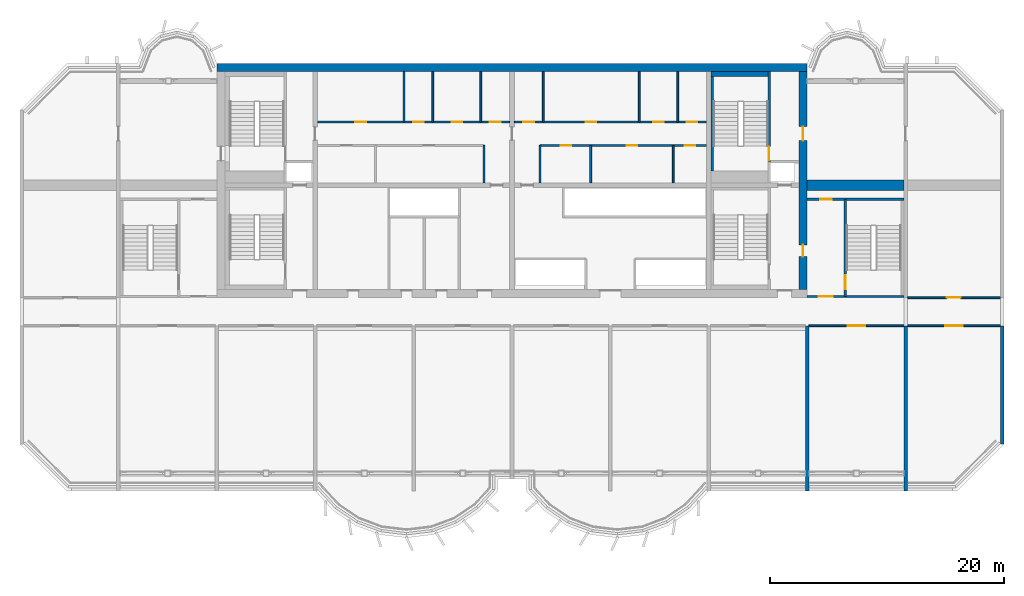
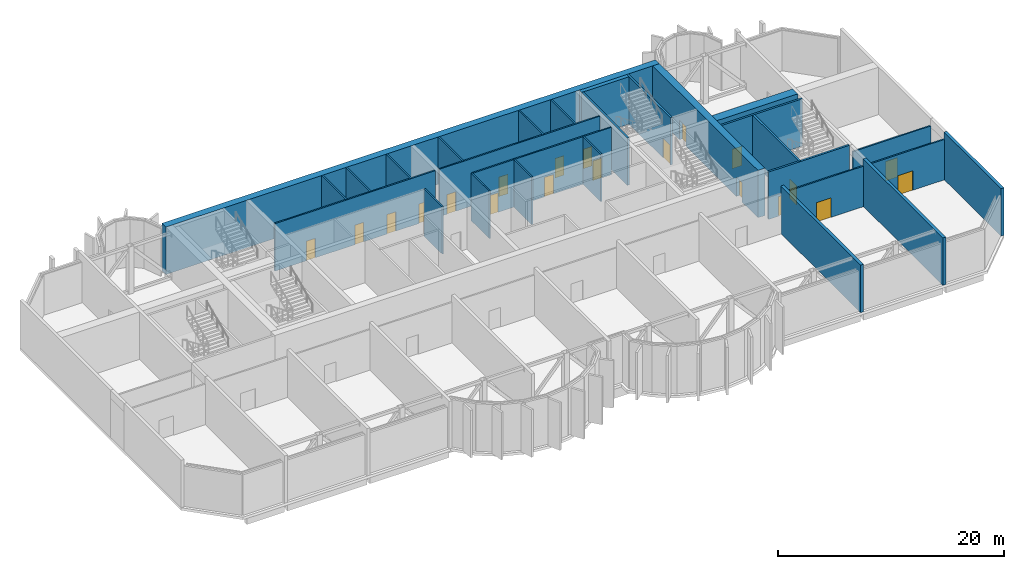
# One storey, part 6 of 15: 28 walls, 20 doors, 20 openings.
"""IFC4 building model written with IfcOpenShell, lengths in metres."""

from ifc_helpers import new_model, si_unit, direction, frame, frame_2d, origin, place, context, subcontext, project, spatial, rectangle, extrude, source, transform, mapped, material, layer, layer_set, type_object, element, fill, save


model = new_model("IFC4")

# Units and contexts
model_context = context("Model", 3, precision=1e-05, world=origin(), true_north=direction((0.0, 1.0)))
body_context = subcontext(model_context, "Body", "Model", "MODEL_VIEW")
ifc_project = project(units=[si_unit("LENGTHUNIT", "METRE"), si_unit("AREAUNIT", "SQUARE_METRE"), si_unit("VOLUMEUNIT", "CUBIC_METRE"), si_unit("PLANEANGLEUNIT", "RADIAN"), si_unit("MASSUNIT", "GRAM", prefix="KILO")], contexts=[model_context])

# Site, building, storey
site_placement = place(None, origin())
site = spatial("IfcSite", under=ifc_project, at=site_placement, CompositionType="ELEMENT")
building_placement = place(site_placement, origin())
building = spatial("IfcBuilding", under=site, at=building_placement, Name="Vanashikhar Sky Hotel", CompositionType="ELEMENT")
storey_placement = place(building_placement, frame((0.0, 0.0, 201.0)))
storey = spatial("IfcBuildingStorey", under=building, at=storey_placement, Name="L49", CompositionType="ELEMENT", Elevation=201.0)

# Wall
ifc_material_1 = material(Name="Concrete M60", Category="concrete")
ifc_layer_1 = layer(ifc_material_1, 0.699951171875)
ifc_layer_set_1 = layer_set([ifc_layer_1], Name="RC core shell wall 700 Concrete M60")
wall_type_1 = type_object("IfcWallType", Name="RC core shell wall 700 Concrete M60", PredefinedType="SHEAR", material=ifc_layer_set_1)
shared_shape_1 = source(origin(), body_context, "Body", "SweptSolid", [
    extrude(rectangle(XDim=50.400146484375, YDim=0.699951171875, at=frame_2d((25.2001953125, 0.0))), origin(), (0.0, 0.0, 1.0), 5.1201171875),
])
wall_1_placement = place(storey_placement, frame((25.199951171875, 41.64990234375, 0.0), z_axis=(0.0, 0.0, 1.0), x_axis=(1.0, 0.0, 0.0)))
element("IfcWall", 1, at=wall_1_placement, inside=storey, type_object=wall_type_1, Name="KW-L49-KN", PredefinedType="SHEAR", context=body_context, shape_type="MappedRepresentation", body=[
    mapped(shared_shape_1, transform((0.0, 0.0, 0.0), scale=1.0)),
])

# Wall, openings, doors
shared_shape_2 = source(origin(), body_context, "Body", "SweptSolid", [
    extrude(rectangle(XDim=18.60009765625, YDim=0.699951171875, at=frame_2d((9.300048828125, 0.0))), origin(), (0.0, 0.0, 1.0), 5.1201171875),
])
wall_2_placement = place(storey_placement, frame((75.25, 22.699951171875, 0.0), z_axis=(0.0, 0.0, 1.0), x_axis=(0.0, 1.0, 0.0)))
wall_2 = element("IfcWall", 2, at=wall_2_placement, inside=storey, type_object=wall_type_1, Name="KW-L49-KE", PredefinedType="SHEAR", context=body_context, shape_type="MappedRepresentation", body=[
    mapped(shared_shape_2, transform((0.0, 0.0, 0.0), scale=1.0)),
])
shared_shape_3 = source(origin(), body_context, "Body", "SweptSolid", [
    extrude(rectangle(XDim=1.0, YDim=2.10009765625, at=frame_2d((0.5, 1.050048828125))), frame((0.0, 0.35986328125, 0.0), z_axis=(0.0, -1.0, 0.0), x_axis=(1.0, 0.0, 0.0)), (0.0, 0.0, 1.0), 0.719970703125),
])
opening_1_placement = place(wall_2_placement, frame((2.800048828125, 0.0, 0.0)))
opening_1 = element("IfcOpeningElement", 3, at=opening_1_placement, cuts=wall_2, Name="Opening DC-5", PredefinedType="OPENING", context=body_context, shape_type="MappedRepresentation", body=[
    mapped(shared_shape_3, transform((0.0, 0.0, 0.0), scale=1.0)),
])
shared_shape_4 = source(origin(), body_context, "Body", "SweptSolid", [
    extrude(rectangle(XDim=1.199951171875, YDim=2.10009765625, at=frame_2d((0.60009765625, 1.050048828125))), frame((0.0, 0.35986328125, 0.0), z_axis=(0.0, -1.0, 0.0), x_axis=(1.0, 0.0, 0.0)), (0.0, 0.0, 1.0), 0.719970703125),
])
opening_2_placement = place(wall_2_placement, frame((12.699951171875, 0.0, 0.0)))
opening_2 = element("IfcOpeningElement", 4, at=opening_2_placement, cuts=wall_2, Name="Opening DC-4-D", PredefinedType="OPENING", context=body_context, shape_type="MappedRepresentation", body=[
    mapped(shared_shape_4, transform((0.0, 0.0, 0.0), scale=1.0)),
])
ifc_material_2 = material(Name="Steel", Category="steel")
door_type_1 = type_object("IfcDoorType", Name="Refuge door 1000 FD120", OperationType="NOTDEFINED", PredefinedType="DOOR", material=ifc_material_2)
shared_shape_5 = source(origin(), body_context, "Body", "SweptSolid", [
    extrude(rectangle(XDim=1.0, YDim=2.10009765625, at=frame_2d((0.5, 1.050048828125))), frame((0.0, 0.02490234375, 0.0), z_axis=(0.0, -1.0, 0.0), x_axis=(1.0, 0.0, 0.0)), (0.0, 0.0, 1.0), 0.050048828125),
])
door_1_placement = place(opening_1_placement, origin())
door_1 = element("IfcDoor", 5, at=door_1_placement, inside=storey, type_object=door_type_1, Name="Refuge door 1000 FD120", OperationType="SINGLE_SWING_RIGHT", OverallHeight=2.10009765625, OverallWidth=1.0, PredefinedType="DOOR", context=body_context, shape_type="MappedRepresentation", body=[
    mapped(shared_shape_5, transform((0.0, 0.0, 0.0), scale=1.0)),
])
fill(opening_1, door_1)
door_type_2 = type_object("IfcDoorType", Name="Service door 1200 FD120", OperationType="NOTDEFINED", PredefinedType="DOOR", material=ifc_material_2)
shared_shape_6 = source(origin(), body_context, "Body", "SweptSolid", [
    extrude(rectangle(XDim=1.199951171875, YDim=2.10009765625, at=frame_2d((0.60009765625, 1.050048828125))), frame((0.0, 0.02490234375, 0.0), z_axis=(0.0, -1.0, 0.0), x_axis=(1.0, 0.0, 0.0)), (0.0, 0.0, 1.0), 0.050048828125),
])
door_2_placement = place(opening_2_placement, origin())
door_2 = element("IfcDoor", 6, at=door_2_placement, inside=storey, type_object=door_type_2, Name="Service door 1200 FD120", OperationType="SINGLE_SWING_RIGHT", OverallHeight=2.10009765625, OverallWidth=1.199951171875, PredefinedType="DOOR", context=body_context, shape_type="MappedRepresentation", body=[
    mapped(shared_shape_6, transform((0.0, 0.0, 0.0), scale=1.0)),
])
fill(opening_2, door_2)

# Walls
ifc_layer_2 = layer(ifc_material_1, 0.300048828125)
ifc_layer_set_2 = layer_set([ifc_layer_2], Name="RC shear wall 300 Concrete M60")
wall_type_2 = type_object("IfcWallType", Name="RC shear wall 300 Concrete M60", PredefinedType="SHEAR", material=ifc_layer_set_2)
shared_shape_7 = source(origin(), body_context, "Body", "SweptSolid", [
    extrude(rectangle(XDim=10.10009765625, YDim=0.300048828125, at=frame_2d((5.050048828125, 0.0))), origin(), (0.0, 0.0, 1.0), 5.1201171875),
])
wall_3_placement = place(storey_placement, frame((92.25, 9.5, 0.0), z_axis=(0.0, 0.0, 1.0), x_axis=(0.0, 1.0, 0.0)))
element("IfcWall", 7, at=wall_3_placement, inside=storey, type_object=wall_type_2, Name="CW-L49-XW12-1", PredefinedType="SHEAR", context=body_context, shape_type="MappedRepresentation", body=[
    mapped(shared_shape_7, transform((0.0, 0.0, 0.0), scale=1.0)),
])
shared_shape_8 = source(origin(), body_context, "Body", "SweptSolid", [
    extrude(rectangle(XDim=14.10009765625, YDim=0.300048828125, at=frame_2d((7.050048828125, 0.0))), origin(), (0.0, 0.0, 1.0), 5.1201171875),
])
for number, where, z_axis, x_axis, name in (
    (8, (75.60009765625, 5.5, 0.0), (0.0, 0.0, 1.0), (0.0, 1.0, 0.0), "CW-L49-XW10-1"),
    (9, (84.0, 5.5, 0.0), (0.0, 0.0, 1.0), (0.0, 1.0, 0.0), "CW-L49-XW11-1"),
):
    element("IfcWall", number, at=place(storey_placement, frame(where, z_axis=z_axis, x_axis=x_axis)), inside=storey, type_object=wall_type_2, Name=name, PredefinedType="SHEAR", context=body_context, shape_type="MappedRepresentation", body=[
        mapped(shared_shape_8, transform((0.0, 0.0, 0.0), scale=1.0)),
    ])
ifc_layer_3 = layer(ifc_material_1, 0.89990234375)
ifc_layer_set_3 = layer_set([ifc_layer_3], Name="RC outrigger wall 900 Concrete M60")
wall_type_3 = type_object("IfcWallType", Name="RC outrigger wall 900 Concrete M60", PredefinedType="SHEAR", material=ifc_layer_set_3)
shared_shape_9 = source(origin(), body_context, "Body", "SweptSolid", [
    extrude(rectangle(XDim=8.25, YDim=0.89990234375, at=frame_2d((4.125, 0.0))), origin(), (0.0, 0.0, 1.0), 5.1201171875),
])
wall_4_placement = place(storey_placement, frame((75.60009765625, 31.60009765625, 0.0), z_axis=(0.0, 0.0, 1.0), x_axis=(1.0, 0.0, 0.0)))
element("IfcWall", 10, at=wall_4_placement, inside=storey, type_object=wall_type_3, Name="OW-L49-03", PredefinedType="SHEAR", context=body_context, shape_type="MappedRepresentation", body=[
    mapped(shared_shape_9, transform((0.0, 0.0, 0.0), scale=1.0)),
])

# Wall, opening, door
ifc_material_3 = material(Name="Concrete M50", Category="concrete")
ifc_layer_4 = layer(ifc_material_3, 0.199951171875)
ifc_layer_set_4 = layer_set([ifc_layer_4], Name="Stair wall 200")
wall_type_4 = type_object("IfcWallType", Name="Stair wall 200", PredefinedType="SOLIDWALL", material=ifc_layer_set_4)
shared_shape_10 = source(origin(), body_context, "Body", "SweptSolid", [
    extrude(rectangle(XDim=8.2998046875, YDim=0.199951171875, at=frame_2d((4.14990234375, 0.0))), origin(), (0.0, 0.0, 1.0), 5.1201171875),
])
wall_5_placement = place(storey_placement, frame((78.85009765625, 22.10009765625, 0.0), z_axis=(0.0, 0.0, 1.0), x_axis=(0.0, 1.0, 0.0)))
wall_5 = element("IfcWall", 11, at=wall_5_placement, inside=storey, type_object=wall_type_4, Name="Stair wall 200", PredefinedType="SOLIDWALL", context=body_context, shape_type="MappedRepresentation", body=[
    mapped(shared_shape_10, transform((0.0, 0.0, 0.0), scale=1.0)),
])
shared_shape_11 = source(origin(), body_context, "Body", "SweptSolid", [
    extrude(rectangle(XDim=1.199951171875, YDim=2.10009765625, at=frame_2d((0.60009765625, 1.050048828125))), frame((0.0, 0.10986328125, 0.0), z_axis=(0.0, -1.0, 0.0), x_axis=(1.0, 0.0, 0.0)), (0.0, 0.0, 1.0), 0.219970703125),
])
opening_3_placement = place(wall_5_placement, frame((0.60009765625, 0.0, 0.0)))
opening_3 = element("IfcOpeningElement", 12, at=opening_3_placement, cuts=wall_5, Name="Opening DC-1", PredefinedType="OPENING", context=body_context, shape_type="MappedRepresentation", body=[
    mapped(shared_shape_11, transform((0.0, 0.0, 0.0), scale=1.0)),
])
door_type_3 = type_object("IfcDoorType", Name="Stair door 1200 FD120", OperationType="NOTDEFINED", PredefinedType="DOOR", material=ifc_material_2)
door_3_placement = place(opening_3_placement, origin())
door_3 = element("IfcDoor", 13, at=door_3_placement, inside=storey, type_object=door_type_3, Name="Stair door 1200 FD120", OperationType="SINGLE_SWING_RIGHT", OverallHeight=2.10009765625, OverallWidth=1.199951171875, PredefinedType="DOOR", context=body_context, shape_type="MappedRepresentation", body=[
    mapped(shared_shape_6, transform((0.0, 0.0, 0.0), scale=1.0)),
])
fill(opening_3, door_3)

# Walls
ifc_material_4 = material(Name="Gypsum board partition")
ifc_layer_5 = layer(ifc_material_4, 0.14990234375)
ifc_layer_set_5 = layer_set([ifc_layer_5], Name="Service partition 150")
wall_type_5 = type_object("IfcWallType", Name="Service partition 150", PredefinedType="PARTITIONING", material=ifc_layer_set_5)
shared_shape_12 = source(origin(), body_context, "Body", "SweptSolid", [
    extrude(rectangle(XDim=3.199951171875, YDim=0.14990234375, at=frame_2d((1.60009765625, 0.0))), origin(), (0.0, 0.0, 1.0), 5.1201171875),
])
for number, where, z_axis, x_axis, name in (
    (14, (48.0, 31.800048828125, 0.0), (0.0, 0.0, 1.0), (0.0, 1.0, 0.0), "Service partition 150"),
    (15, (52.800048828125, 31.800048828125, 0.0), (0.0, 0.0, 1.0), (0.0, 1.0, 0.0), "Service partition 150"),
    (16, (64.175048828125, 31.800048828125, 0.0), (0.0, 0.0, 1.0), (0.0, 1.0, 0.0), "Service partition 150"),
    (17, (57.112060546875, 31.800048828125, 0.0), (0.0, 0.0, 1.0), (0.0, 1.0, 0.0), "Service partition 150"),
):
    element("IfcWall", number, at=place(storey_placement, frame(where, z_axis=z_axis, x_axis=x_axis)), inside=storey, type_object=wall_type_5, Name=name, PredefinedType="PARTITIONING", context=body_context, shape_type="MappedRepresentation", body=[
        mapped(shared_shape_12, transform((0.0, 0.0, 0.0), scale=1.0)),
    ])

# Wall, openings, doors
shared_shape_13 = source(origin(), body_context, "Body", "SweptSolid", [
    extrude(rectangle(XDim=14.199951171875, YDim=0.14990234375, at=frame_2d((7.10009765625, 0.0))), origin(), (0.0, 0.0, 1.0), 5.1201171875),
])
wall_6_placement = place(storey_placement, frame((67.0, 35.0, 0.0), z_axis=(0.0, 0.0, 1.0), x_axis=(-1.0, 0.0, 0.0)))
wall_6 = element("IfcWall", 18, at=wall_6_placement, inside=storey, type_object=wall_type_5, Name="Service partition 150", PredefinedType="PARTITIONING", context=body_context, shape_type="MappedRepresentation", body=[
    mapped(shared_shape_13, transform((0.0, 0.0, 0.0), scale=1.0)),
])
shared_shape_14 = source(origin(), body_context, "Body", "SweptSolid", [
    extrude(rectangle(XDim=0.89990234375, YDim=2.10009765625, at=frame_2d((0.449951171875, 1.050048828125))), frame((0.0, 0.0849609375, 0.0), z_axis=(0.0, -1.0, 0.0), x_axis=(1.0, 0.0, 0.0)), (0.0, 0.0, 1.0), 0.169921875),
])
opening_4_placement = place(wall_6_placement, frame((0.9619140625, 0.0, 0.0)))
opening_4 = element("IfcOpeningElement", 19, at=opening_4_placement, cuts=wall_6, Name="Opening DC-4-A", PredefinedType="OPENING", context=body_context, shape_type="MappedRepresentation", body=[
    mapped(shared_shape_14, transform((0.0, 0.0, 0.0), scale=1.0)),
])
opening_5_placement = place(wall_6_placement, frame((5.906005859375, 0.0, 0.0)))
opening_5 = element("IfcOpeningElement", 20, at=opening_5_placement, cuts=wall_6, Name="Opening DC-4-A", PredefinedType="OPENING", context=body_context, shape_type="MappedRepresentation", body=[
    mapped(shared_shape_14, transform((0.0, 0.0, 0.0), scale=1.0)),
])
opening_6_placement = place(wall_6_placement, frame((11.555908203125, 0.0, 0.0)))
opening_6 = element("IfcOpeningElement", 21, at=opening_6_placement, cuts=wall_6, Name="Opening DC-4-A", PredefinedType="OPENING", context=body_context, shape_type="MappedRepresentation", body=[
    mapped(shared_shape_14, transform((0.0, 0.0, 0.0), scale=1.0)),
])
door_type_4 = type_object("IfcDoorType", Name="Service door 900 FD60", OperationType="NOTDEFINED", PredefinedType="DOOR", material=ifc_material_2)
shared_shape_15 = source(origin(), body_context, "Body", "SweptSolid", [
    extrude(rectangle(XDim=0.89990234375, YDim=2.10009765625, at=frame_2d((0.449951171875, 1.050048828125))), frame((0.0, 0.02490234375, 0.0), z_axis=(0.0, -1.0, 0.0), x_axis=(1.0, 0.0, 0.0)), (0.0, 0.0, 1.0), 0.050048828125),
])
door_4_placement = place(opening_4_placement, origin())
door_4 = element("IfcDoor", 22, at=door_4_placement, inside=storey, type_object=door_type_4, Name="Service door 900 FD60", OperationType="SINGLE_SWING_RIGHT", OverallHeight=2.10009765625, OverallWidth=0.89990234375, PredefinedType="DOOR", context=body_context, shape_type="MappedRepresentation", body=[
    mapped(shared_shape_15, transform((0.0, 0.0, 0.0), scale=1.0)),
])
fill(opening_4, door_4)
door_5_placement = place(opening_5_placement, origin())
door_5 = element("IfcDoor", 23, at=door_5_placement, inside=storey, type_object=door_type_4, Name="Service door 900 FD60", OperationType="SINGLE_SWING_LEFT", OverallHeight=2.10009765625, OverallWidth=0.89990234375, PredefinedType="DOOR", context=body_context, shape_type="MappedRepresentation", body=[
    mapped(shared_shape_15, transform((0.0, 0.0, 0.0), scale=1.0)),
])
fill(opening_5, door_5)
door_6_placement = place(opening_6_placement, origin())
door_6 = element("IfcDoor", 24, at=door_6_placement, inside=storey, type_object=door_type_4, Name="Service door 900 FD60", OperationType="SINGLE_SWING_RIGHT", OverallHeight=2.10009765625, OverallWidth=0.89990234375, PredefinedType="DOOR", context=body_context, shape_type="MappedRepresentation", body=[
    mapped(shared_shape_15, transform((0.0, 0.0, 0.0), scale=1.0)),
])
fill(opening_6, door_6)

shared_shape_16 = source(origin(), body_context, "Body", "SweptSolid", [
    extrude(rectangle(XDim=16.39990234375, YDim=0.14990234375, at=frame_2d((8.199951171875, 0.0))), origin(), (0.0, 0.0, 1.0), 5.1201171875),
])
wall_7_placement = place(storey_placement, frame((33.800048828125, 37.0, 0.0), z_axis=(0.0, 0.0, 1.0), x_axis=(1.0, 0.0, 0.0)))
wall_7 = element("IfcWall", 25, at=wall_7_placement, inside=storey, type_object=wall_type_5, Name="Service partition 150", PredefinedType="PARTITIONING", context=body_context, shape_type="MappedRepresentation", body=[
    mapped(shared_shape_16, transform((0.0, 0.0, 0.0), scale=1.0)),
])
opening_7_placement = place(wall_7_placement, frame((3.239990234375, 0.0, 0.0)))
opening_7 = element("IfcOpeningElement", 26, at=opening_7_placement, cuts=wall_7, Name="Opening DC-4-A", PredefinedType="OPENING", context=body_context, shape_type="MappedRepresentation", body=[
    mapped(shared_shape_14, transform((0.0, 0.0, 0.0), scale=1.0)),
])
opening_8_placement = place(wall_7_placement, frame((8.159912109375, 0.0, 0.0)))
opening_8 = element("IfcOpeningElement", 27, at=opening_8_placement, cuts=wall_7, Name="Opening DC-4-A", PredefinedType="OPENING", context=body_context, shape_type="MappedRepresentation", body=[
    mapped(shared_shape_14, transform((0.0, 0.0, 0.0), scale=1.0)),
])
opening_9_placement = place(wall_7_placement, frame((11.43994140625, 0.0, 0.0)))
opening_9 = element("IfcOpeningElement", 28, at=opening_9_placement, cuts=wall_7, Name="Opening DC-4-A", PredefinedType="OPENING", context=body_context, shape_type="MappedRepresentation", body=[
    mapped(shared_shape_14, transform((0.0, 0.0, 0.0), scale=1.0)),
])
opening_10_placement = place(wall_7_placement, frame((14.719970703125, 0.0, 0.0)))
opening_10 = element("IfcOpeningElement", 29, at=opening_10_placement, cuts=wall_7, Name="Opening DC-4-A", PredefinedType="OPENING", context=body_context, shape_type="MappedRepresentation", body=[
    mapped(shared_shape_14, transform((0.0, 0.0, 0.0), scale=1.0)),
])
door_7_placement = place(opening_7_placement, origin())
door_7 = element("IfcDoor", 30, at=door_7_placement, inside=storey, type_object=door_type_4, Name="Service door 900 FD60", OperationType="SINGLE_SWING_LEFT", OverallHeight=2.10009765625, OverallWidth=0.89990234375, PredefinedType="DOOR", context=body_context, shape_type="MappedRepresentation", body=[
    mapped(shared_shape_15, transform((0.0, 0.0, 0.0), scale=1.0)),
])
fill(opening_7, door_7)
door_8_placement = place(opening_8_placement, origin())
door_8 = element("IfcDoor", 31, at=door_8_placement, inside=storey, type_object=door_type_4, Name="Service door 900 FD60", OperationType="SINGLE_SWING_LEFT", OverallHeight=2.10009765625, OverallWidth=0.89990234375, PredefinedType="DOOR", context=body_context, shape_type="MappedRepresentation", body=[
    mapped(shared_shape_15, transform((0.0, 0.0, 0.0), scale=1.0)),
])
fill(opening_8, door_8)
door_9_placement = place(opening_9_placement, origin())
door_9 = element("IfcDoor", 32, at=door_9_placement, inside=storey, type_object=door_type_4, Name="Service door 900 FD60", OperationType="SINGLE_SWING_LEFT", OverallHeight=2.10009765625, OverallWidth=0.89990234375, PredefinedType="DOOR", context=body_context, shape_type="MappedRepresentation", body=[
    mapped(shared_shape_15, transform((0.0, 0.0, 0.0), scale=1.0)),
])
fill(opening_9, door_9)
door_10_placement = place(opening_10_placement, origin())
door_10 = element("IfcDoor", 33, at=door_10_placement, inside=storey, type_object=door_type_4, Name="Service door 900 FD60", OperationType="SINGLE_SWING_LEFT", OverallHeight=2.10009765625, OverallWidth=0.89990234375, PredefinedType="DOOR", context=body_context, shape_type="MappedRepresentation", body=[
    mapped(shared_shape_15, transform((0.0, 0.0, 0.0), scale=1.0)),
])
fill(opening_10, door_10)

wall_8_placement = place(storey_placement, frame((67.0, 37.0, 0.0), z_axis=(0.0, 0.0, 1.0), x_axis=(-1.0, 0.0, 0.0)))
wall_8 = element("IfcWall", 34, at=wall_8_placement, inside=storey, type_object=wall_type_5, Name="Service partition 150", PredefinedType="PARTITIONING", context=body_context, shape_type="MappedRepresentation", body=[
    mapped(shared_shape_16, transform((0.0, 0.0, 0.0), scale=1.0)),
])
opening_11_placement = place(wall_8_placement, frame((0.780029296875, 0.0, 0.0)))
opening_11 = element("IfcOpeningElement", 35, at=opening_11_placement, cuts=wall_8, Name="Opening DC-4-A", PredefinedType="OPENING", context=body_context, shape_type="MappedRepresentation", body=[
    mapped(shared_shape_14, transform((0.0, 0.0, 0.0), scale=1.0)),
])
opening_12_placement = place(wall_8_placement, frame((3.64990234375, 0.0, 0.0)))
opening_12 = element("IfcOpeningElement", 36, at=opening_12_placement, cuts=wall_8, Name="Opening DC-4-A", PredefinedType="OPENING", context=body_context, shape_type="MappedRepresentation", body=[
    mapped(shared_shape_14, transform((0.0, 0.0, 0.0), scale=1.0)),
])
opening_13_placement = place(wall_8_placement, frame((9.389892578125, 0.0, 0.0)))
opening_13 = element("IfcOpeningElement", 37, at=opening_13_placement, cuts=wall_8, Name="Opening DC-4-A", PredefinedType="OPENING", context=body_context, shape_type="MappedRepresentation", body=[
    mapped(shared_shape_14, transform((0.0, 0.0, 0.0), scale=1.0)),
])
opening_14_placement = place(wall_8_placement, frame((14.719970703125, 0.0, 0.0)))
opening_14 = element("IfcOpeningElement", 38, at=opening_14_placement, cuts=wall_8, Name="Opening DC-4-A", PredefinedType="OPENING", context=body_context, shape_type="MappedRepresentation", body=[
    mapped(shared_shape_14, transform((0.0, 0.0, 0.0), scale=1.0)),
])
door_11_placement = place(opening_11_placement, origin())
door_11 = element("IfcDoor", 39, at=door_11_placement, inside=storey, type_object=door_type_4, Name="Service door 900 FD60", OperationType="SINGLE_SWING_LEFT", OverallHeight=2.10009765625, OverallWidth=0.89990234375, PredefinedType="DOOR", context=body_context, shape_type="MappedRepresentation", body=[
    mapped(shared_shape_15, transform((0.0, 0.0, 0.0), scale=1.0)),
])
fill(opening_11, door_11)
door_12_placement = place(opening_12_placement, origin())
door_12 = element("IfcDoor", 40, at=door_12_placement, inside=storey, type_object=door_type_4, Name="Service door 900 FD60", OperationType="SINGLE_SWING_LEFT", OverallHeight=2.10009765625, OverallWidth=0.89990234375, PredefinedType="DOOR", context=body_context, shape_type="MappedRepresentation", body=[
    mapped(shared_shape_15, transform((0.0, 0.0, 0.0), scale=1.0)),
])
fill(opening_12, door_12)
door_13_placement = place(opening_13_placement, origin())
door_13 = element("IfcDoor", 41, at=door_13_placement, inside=storey, type_object=door_type_4, Name="Service door 900 FD60", OperationType="SINGLE_SWING_LEFT", OverallHeight=2.10009765625, OverallWidth=0.89990234375, PredefinedType="DOOR", context=body_context, shape_type="MappedRepresentation", body=[
    mapped(shared_shape_15, transform((0.0, 0.0, 0.0), scale=1.0)),
])
fill(opening_13, door_13)
door_14_placement = place(opening_14_placement, origin())
door_14 = element("IfcDoor", 42, at=door_14_placement, inside=storey, type_object=door_type_4, Name="Service door 900 FD60", OperationType="SINGLE_SWING_RIGHT", OverallHeight=2.10009765625, OverallWidth=0.89990234375, PredefinedType="DOOR", context=body_context, shape_type="MappedRepresentation", body=[
    mapped(shared_shape_15, transform((0.0, 0.0, 0.0), scale=1.0)),
])
fill(opening_14, door_14)

# Walls
shared_shape_17 = source(origin(), body_context, "Body", "SweptSolid", [
    extrude(rectangle(XDim=4.300048828125, YDim=0.14990234375, at=frame_2d((2.14990234375, 0.0))), origin(), (0.0, 0.0, 1.0), 5.1201171875),
])
for number, where, z_axis, x_axis, name in (
    (43, (41.179931640625, 37.0, 0.0), (0.0, 0.0, 1.0), (0.0, 1.0, 0.0), "Service partition 150"),
    (44, (43.639892578125, 37.0, 0.0), (0.0, 0.0, 1.0), (0.0, 1.0, 0.0), "Service partition 150"),
    (45, (47.739990234375, 37.0, 0.0), (0.0, 0.0, 1.0), (0.0, 1.0, 0.0), "Service partition 150"),
    (46, (64.5400390625, 37.0, 0.0), (0.0, 0.0, 1.0), (0.0, 1.0, 0.0), "Service partition 150"),
    (47, (61.260009765625, 37.0, 0.0), (0.0, 0.0, 1.0), (0.0, 1.0, 0.0), "Service partition 150"),
    (48, (53.06005859375, 37.0, 0.0), (0.0, 0.0, 1.0), (0.0, 1.0, 0.0), "Service partition 150"),
):
    element("IfcWall", number, at=place(storey_placement, frame(where, z_axis=z_axis, x_axis=x_axis)), inside=storey, type_object=wall_type_5, Name=name, PredefinedType="PARTITIONING", context=body_context, shape_type="MappedRepresentation", body=[
        mapped(shared_shape_17, transform((0.0, 0.0, 0.0), scale=1.0)),
    ])

# Wall, opening, door
shared_shape_18 = source(origin(), body_context, "Body", "SweptSolid", [
    extrude(rectangle(XDim=7.699951171875, YDim=0.199951171875, at=frame_2d((3.85009765625, 0.0))), origin(), (0.0, 0.0, 1.0), 5.1201171875),
])
wall_9_placement = place(storey_placement, frame((72.35009765625, 33.60009765625, 0.0), z_axis=(0.0, 0.0, 1.0), x_axis=(0.0, 1.0, 0.0)))
wall_9 = element("IfcWall", 49, at=wall_9_placement, inside=storey, type_object=wall_type_4, Name="Stair wall 200", PredefinedType="SOLIDWALL", context=body_context, shape_type="MappedRepresentation", body=[
    mapped(shared_shape_18, transform((0.0, 0.0, 0.0), scale=1.0)),
])
opening_15_placement = place(wall_9_placement, frame((0.10009765625, 0.0, 0.0)))
opening_15 = element("IfcOpeningElement", 50, at=opening_15_placement, cuts=wall_9, Name="Opening DC-1", PredefinedType="OPENING", context=body_context, shape_type="MappedRepresentation", body=[
    mapped(shared_shape_11, transform((0.0, 0.0, 0.0), scale=1.0)),
])
door_15_placement = place(opening_15_placement, origin())
door_15 = element("IfcDoor", 51, at=door_15_placement, inside=storey, type_object=door_type_3, Name="Stair door 1200 FD120", OperationType="SINGLE_SWING_RIGHT", OverallHeight=2.10009765625, OverallWidth=1.199951171875, PredefinedType="DOOR", context=body_context, shape_type="MappedRepresentation", body=[
    mapped(shared_shape_6, transform((0.0, 0.0, 0.0), scale=1.0)),
])
fill(opening_15, door_15)

shared_shape_19 = source(origin(), body_context, "Body", "SweptSolid", [
    extrude(rectangle(XDim=8.25, YDim=0.199951171875, at=frame_2d((4.125, 0.0))), origin(), (0.0, 0.0, 1.0), 5.1201171875),
])
wall_10_placement = place(storey_placement, frame((83.85009765625, 22.10009765625, 0.0), z_axis=(0.0, 0.0, 1.0), x_axis=(-1.0, 0.0, 0.0)))
wall_10 = element("IfcWall", 52, at=wall_10_placement, inside=storey, type_object=wall_type_4, Name="Stair wall 200", PredefinedType="SOLIDWALL", context=body_context, shape_type="MappedRepresentation", body=[
    mapped(shared_shape_19, transform((0.0, 0.0, 0.0), scale=1.0)),
])
opening_16_placement = place(wall_10_placement, frame((6.050048828125, 0.0, 0.0)))
opening_16 = element("IfcOpeningElement", 53, at=opening_16_placement, cuts=wall_10, Name="Opening DC-2", PredefinedType="OPENING", context=body_context, shape_type="MappedRepresentation", body=[
    mapped(shared_shape_11, transform((0.0, 0.0, 0.0), scale=1.0)),
])
door_type_5 = type_object("IfcDoorType", Name="Firefighting lobby door 1200 FD120", OperationType="NOTDEFINED", PredefinedType="DOOR", material=ifc_material_2)
door_16_placement = place(opening_16_placement, origin())
door_16 = element("IfcDoor", 54, at=door_16_placement, inside=storey, type_object=door_type_5, Name="Firefighting lobby door 1200 FD120", OperationType="SINGLE_SWING_LEFT", OverallHeight=2.10009765625, OverallWidth=1.199951171875, PredefinedType="DOOR", context=body_context, shape_type="MappedRepresentation", body=[
    mapped(shared_shape_6, transform((0.0, 0.0, 0.0), scale=1.0)),
])
fill(opening_16, door_16)

wall_11_placement = place(storey_placement, frame((83.85009765625, 30.39990234375, 0.0), z_axis=(0.0, 0.0, 1.0), x_axis=(-1.0, 0.0, 0.0)))
wall_11 = element("IfcWall", 55, at=wall_11_placement, inside=storey, type_object=wall_type_4, Name="Stair wall 200", PredefinedType="SOLIDWALL", context=body_context, shape_type="MappedRepresentation", body=[
    mapped(shared_shape_19, transform((0.0, 0.0, 0.0), scale=1.0)),
])
shared_shape_20 = source(origin(), body_context, "Body", "SweptSolid", [
    extrude(rectangle(XDim=1.0, YDim=2.10009765625, at=frame_2d((0.5, 1.050048828125))), frame((0.0, 0.10986328125, 0.0), z_axis=(0.0, -1.0, 0.0), x_axis=(1.0, 0.0, 0.0)), (0.0, 0.0, 1.0), 0.219970703125),
])
opening_17_placement = place(wall_11_placement, frame((6.14990234375, 0.0, 0.0)))
opening_17 = element("IfcOpeningElement", 56, at=opening_17_placement, cuts=wall_11, Name="Opening DC-6", PredefinedType="OPENING", context=body_context, shape_type="MappedRepresentation", body=[
    mapped(shared_shape_20, transform((0.0, 0.0, 0.0), scale=1.0)),
])
door_type_6 = type_object("IfcDoorType", Name="Pocket door 1000 FD60", OperationType="NOTDEFINED", PredefinedType="DOOR", material=ifc_material_2)
door_17_placement = place(opening_17_placement, origin())
door_17 = element("IfcDoor", 57, at=door_17_placement, inside=storey, type_object=door_type_6, Name="Pocket door 1000 FD60", OperationType="SINGLE_SWING_LEFT", OverallHeight=2.10009765625, OverallWidth=1.0, PredefinedType="DOOR", context=body_context, shape_type="MappedRepresentation", body=[
    mapped(shared_shape_5, transform((0.0, 0.0, 0.0), scale=1.0)),
])
fill(opening_17, door_17)

# Walls
ifc_layer_6 = layer(ifc_material_3, 0.39990234375)
ifc_layer_set_6 = layer_set([ifc_layer_6], Name="Stair infill wall 400")
wall_type_6 = type_object("IfcWallType", Name="Stair infill wall 400", PredefinedType="SOLIDWALL", material=ifc_layer_set_6)
shared_shape_21 = source(origin(), body_context, "Body", "SweptSolid", [
    extrude(rectangle(XDim=4.85009765625, YDim=0.39990234375, at=frame_2d((2.425048828125, 0.0))), origin(), (0.0, 0.0, 1.0), 5.1201171875),
])
wall_12_placement = place(storey_placement, frame((67.39990234375, 41.10009765625, 0.0), z_axis=(0.0, 0.0, 1.0), x_axis=(1.0, 0.0, 0.0)))
element("IfcWall", 58, at=wall_12_placement, inside=storey, type_object=wall_type_6, Name="Stair infill wall 400", PredefinedType="SOLIDWALL", context=body_context, shape_type="MappedRepresentation", body=[
    mapped(shared_shape_21, transform((0.0, 0.0, 0.0), scale=1.0)),
])
ifc_layer_7 = layer(ifc_material_3, 0.199951171875)
ifc_layer_set_7 = layer_set([ifc_layer_7], Name="Stair infill wall 200")
wall_type_7 = type_object("IfcWallType", Name="Stair infill wall 200", PredefinedType="SOLIDWALL", material=ifc_layer_set_7)
shared_shape_22 = source(origin(), body_context, "Body", "SweptSolid", [
    extrude(rectangle(XDim=8.099853515625, YDim=0.199951171875, at=frame_2d((4.0498046875, 0.0))), origin(), (0.0, 0.0, 1.0), 5.1201171875),
])
wall_13_placement = place(storey_placement, frame((67.5, 32.800048828125, 0.0), z_axis=(0.0, 0.0, 1.0), x_axis=(0.0, 1.0, 0.0)))
element("IfcWall", 59, at=wall_13_placement, inside=storey, type_object=wall_type_7, Name="Stair infill wall 200", PredefinedType="SOLIDWALL", context=body_context, shape_type="MappedRepresentation", body=[
    mapped(shared_shape_22, transform((0.0, 0.0, 0.0), scale=1.0)),
])

# Wall, opening, door
shared_shape_23 = source(origin(), body_context, "Body", "SweptSolid", [
    extrude(rectangle(XDim=8.10009765625, YDim=0.14990234375, at=frame_2d((4.050048828125, 0.0))), origin(), (0.0, 0.0, 1.0), 4.3701171875),
])
wall_14_placement = place(storey_placement, frame((75.75, 19.60009765625, 0.0), z_axis=(0.0, 0.0, 1.0), x_axis=(1.0, 0.0, 0.0)))
wall_14 = element("IfcWall", 60, at=wall_14_placement, inside=storey, type_object=wall_type_5, Name="Service partition 150", PredefinedType="PARTITIONING", context=body_context, shape_type="MappedRepresentation", body=[
    mapped(shared_shape_23, transform((0.0, 0.0, 0.0), scale=1.0)),
])
shared_shape_24 = source(origin(), body_context, "Body", "SweptSolid", [
    extrude(rectangle(XDim=1.5, YDim=2.10009765625, at=frame_2d((0.75, 1.050048828125))), frame((0.0, 0.0849609375, 0.0), z_axis=(0.0, -1.0, 0.0), x_axis=(1.0, 0.0, 0.0)), (0.0, 0.0, 1.0), 0.169921875),
])
opening_18_placement = place(wall_14_placement, frame((3.300048828125, 0.0, 0.0)))
opening_18 = element("IfcOpeningElement", 61, at=opening_18_placement, cuts=wall_14, Name="Opening DC-4-E", PredefinedType="OPENING", context=body_context, shape_type="MappedRepresentation", body=[
    mapped(shared_shape_24, transform((0.0, 0.0, 0.0), scale=1.0)),
])
door_type_7 = type_object("IfcDoorType", Name="Service door 1500 FD60", OperationType="NOTDEFINED", PredefinedType="DOOR", material=ifc_material_2)
shared_shape_25 = source(origin(), body_context, "Body", "SweptSolid", [
    extrude(rectangle(XDim=1.5, YDim=2.10009765625, at=frame_2d((0.75, 1.050048828125))), frame((0.0, 0.02490234375, 0.0), z_axis=(0.0, -1.0, 0.0), x_axis=(1.0, 0.0, 0.0)), (0.0, 0.0, 1.0), 0.050048828125),
])
door_18_placement = place(opening_18_placement, origin())
door_18 = element("IfcDoor", 62, at=door_18_placement, inside=storey, type_object=door_type_7, Name="Service door 1500 FD60", OperationType="SINGLE_SWING_LEFT", OverallHeight=2.10009765625, OverallWidth=1.5, PredefinedType="DOOR", context=body_context, shape_type="MappedRepresentation", body=[
    mapped(shared_shape_25, transform((0.0, 0.0, 0.0), scale=1.0)),
])
fill(opening_18, door_18)

shared_shape_26 = source(origin(), body_context, "Body", "SweptSolid", [
    extrude(rectangle(XDim=7.9501953125, YDim=0.14990234375, at=frame_2d((3.97509765625, 0.0))), origin(), (0.0, 0.0, 1.0), 4.3701171875),
])
wall_15_placement = place(storey_placement, frame((84.14990234375, 19.60009765625, 0.0), z_axis=(0.0, 0.0, 1.0), x_axis=(1.0, 0.0, 0.0)))
wall_15 = element("IfcWall", 63, at=wall_15_placement, inside=storey, type_object=wall_type_5, Name="Service partition 150", PredefinedType="PARTITIONING", context=body_context, shape_type="MappedRepresentation", body=[
    mapped(shared_shape_26, transform((0.0, 0.0, 0.0), scale=1.0)),
])
opening_19_placement = place(wall_15_placement, frame((3.22509765625, 0.0, 0.0)))
opening_19 = element("IfcOpeningElement", 64, at=opening_19_placement, cuts=wall_15, Name="Opening DC-4-E", PredefinedType="OPENING", context=body_context, shape_type="MappedRepresentation", body=[
    mapped(shared_shape_24, transform((0.0, 0.0, 0.0), scale=1.0)),
])
door_19_placement = place(opening_19_placement, origin())
door_19 = element("IfcDoor", 65, at=door_19_placement, inside=storey, type_object=door_type_7, Name="Service door 1500 FD60", OperationType="SINGLE_SWING_LEFT", OverallHeight=2.10009765625, OverallWidth=1.5, PredefinedType="DOOR", context=body_context, shape_type="MappedRepresentation", body=[
    mapped(shared_shape_25, transform((0.0, 0.0, 0.0), scale=1.0)),
])
fill(opening_19, door_19)

wall_16_placement = place(storey_placement, frame((84.14990234375, 22.0, 0.0), z_axis=(0.0, 0.0, 1.0), x_axis=(1.0, 0.0, 0.0)))
wall_16 = element("IfcWall", 66, at=wall_16_placement, inside=storey, type_object=wall_type_5, Name="Service partition 150", PredefinedType="PARTITIONING", context=body_context, shape_type="MappedRepresentation", body=[
    mapped(shared_shape_26, transform((0.0, 0.0, 0.0), scale=1.0)),
])
shared_shape_27 = source(origin(), body_context, "Body", "SweptSolid", [
    extrude(rectangle(XDim=1.199951171875, YDim=2.10009765625, at=frame_2d((0.60009765625, 1.050048828125))), frame((0.0, 0.0849609375, 0.0), z_axis=(0.0, -1.0, 0.0), x_axis=(1.0, 0.0, 0.0)), (0.0, 0.0, 1.0), 0.169921875),
])
opening_20_placement = place(wall_16_placement, frame((3.375, 0.0, 0.0)))
opening_20 = element("IfcOpeningElement", 67, at=opening_20_placement, cuts=wall_16, Name="Opening DC-4-D", PredefinedType="OPENING", context=body_context, shape_type="MappedRepresentation", body=[
    mapped(shared_shape_27, transform((0.0, 0.0, 0.0), scale=1.0)),
])
door_20_placement = place(opening_20_placement, origin())
door_20 = element("IfcDoor", 68, at=door_20_placement, inside=storey, type_object=door_type_2, Name="Service door 1200 FD120", OperationType="SINGLE_SWING_LEFT", OverallHeight=2.10009765625, OverallWidth=1.199951171875, PredefinedType="DOOR", context=body_context, shape_type="MappedRepresentation", body=[
    mapped(shared_shape_6, transform((0.0, 0.0, 0.0), scale=1.0)),
])
fill(opening_20, door_20)

save(model, "model.ifc")
